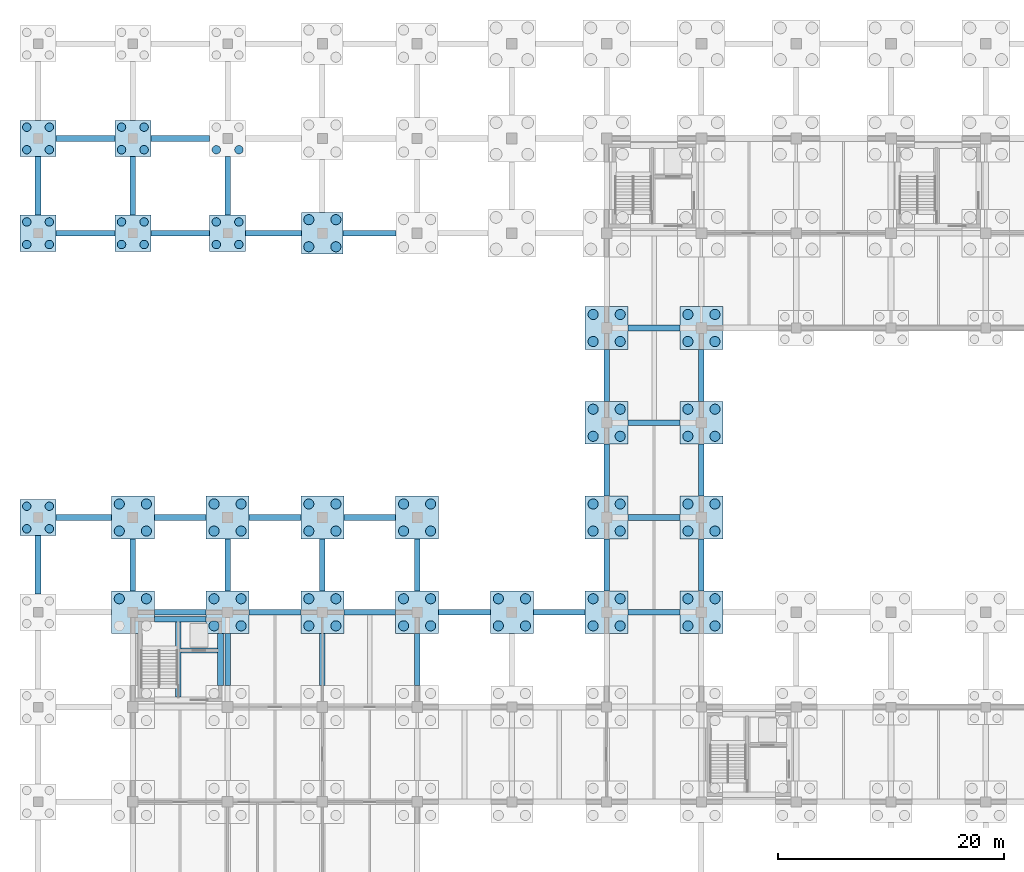
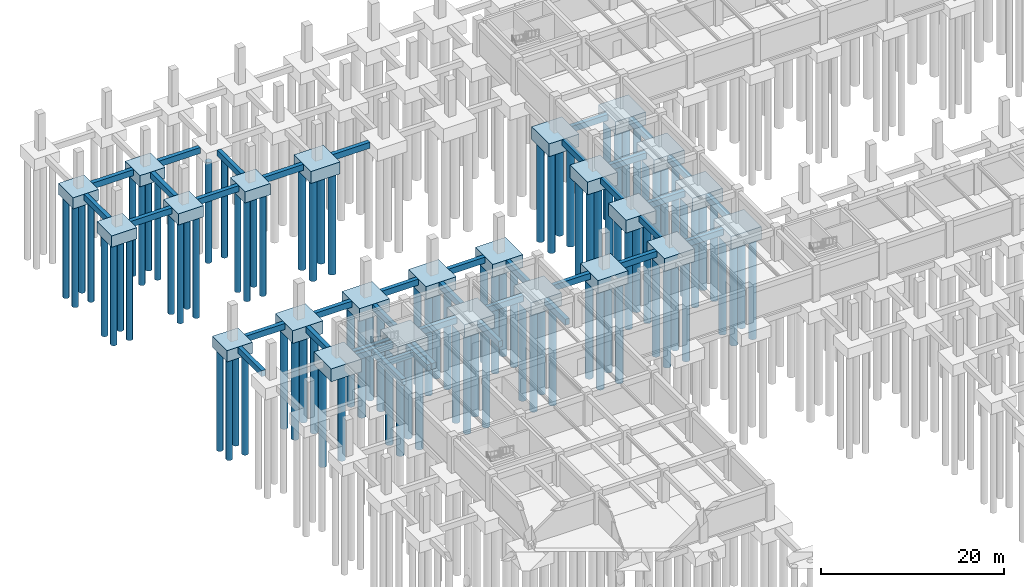
# One storey, part 5 of 29: 96 piles, 64 footings.
"""IFC4 building model written with IfcOpenShell, lengths in metres."""

from ifc_helpers import new_model, si_unit, direction, frame, origin, origin_2d, place, context, subcontext, project, spatial, rectangle, circle, extrude, material, material_profile, profile_set, type_object, element, save


model = new_model("IFC4")

# Units and contexts
model_context = context("Model", 3, precision=1e-05, world=origin(), true_north=direction((0.0, 1.0)))
body_context = subcontext(model_context, "Body", "Model", "MODEL_VIEW")
ifc_project = project(units=[si_unit("LENGTHUNIT", "METRE"), si_unit("AREAUNIT", "SQUARE_METRE"), si_unit("VOLUMEUNIT", "CUBIC_METRE"), si_unit("PLANEANGLEUNIT", "RADIAN"), si_unit("MASSUNIT", "GRAM", prefix="KILO")], contexts=[model_context])

# Site, building, storey
site_placement = place(None, origin())
site = spatial("IfcSite", under=ifc_project, at=site_placement, CompositionType="ELEMENT")
building_placement = place(site_placement, origin())
building = spatial("IfcBuilding", under=site, at=building_placement, Name="Porcellanite Civic Hall", CompositionType="ELEMENT")
storey_placement = place(building_placement, frame((0.0, 0.0, -4.5)))
storey = spatial("IfcBuildingStorey", under=building, at=storey_placement, Name="B1", CompositionType="ELEMENT", Elevation=-4.5)

# Footings
ifc_material_1 = material(Name="Concrete N40 (40 MPa)", Category="concrete")
ifc_material_profile_1 = material_profile(ifc_material_1, rectangle(XDim=0.5, YDim=0.800048828125, at=origin_2d()), Name="RC-500x800")
ifc_profile_set_1 = profile_set([ifc_material_profile_1], Name="Concrete N40 (40 MPa)")
footing_type_1 = type_object("IfcFootingType", Name="GB-01", PredefinedType="FOOTING_BEAM", material=ifc_profile_set_1)
footing_1_placement = place(storey_placement, frame((0.0, 68.800048828125, -0.75), z_axis=(0.0, 1.0, 0.0), x_axis=(-1.0, 0.0, 0.0)))
element("IfcFooting", 1, at=footing_1_placement, inside=storey, type_object=footing_type_1, Name="Ground tie beam B1 0-8 Y", PredefinedType="FOOTING_BEAM", context=body_context, shape_type="SweptSolid", body=[
    extrude(rectangle(XDim=0.5, YDim=0.800048828125, at=origin_2d()), origin(), (0.0, 0.0, 1.0), 5.199951171875),
])
footing_2_placement = place(storey_placement, frame((1.60009765625, 75.60009765625, -0.75), z_axis=(1.0, 0.0, 0.0), x_axis=(0.0, 1.0, 0.0)))
element("IfcFooting", 2, at=footing_2_placement, inside=storey, type_object=footing_type_1, Name="Ground tie beam B1 0-9 X", PredefinedType="FOOTING_BEAM", context=body_context, shape_type="SweptSolid", body=[
    extrude(rectangle(XDim=0.5, YDim=0.800048828125, at=origin_2d()), origin(), (0.0, 0.0, 1.0), 4.89990234375),
])
footing_3_placement = place(storey_placement, frame((1.60009765625, 100.800048828125, -0.75), z_axis=(1.0, 0.0, 0.0), x_axis=(0.0, 1.0, 0.0)))
element("IfcFooting", 3, at=footing_3_placement, inside=storey, type_object=footing_type_1, Name="Ground tie beam B1 0-12 X", PredefinedType="FOOTING_BEAM", context=body_context, shape_type="SweptSolid", body=[
    extrude(rectangle(XDim=0.5, YDim=0.800048828125, at=origin_2d()), origin(), (0.0, 0.0, 1.0), 5.199951171875),
])
footing_4_placement = place(storey_placement, frame((0.0, 102.39990234375, -0.75), z_axis=(0.0, 1.0, 0.0), x_axis=(-1.0, 0.0, 0.0)))
element("IfcFooting", 4, at=footing_4_placement, inside=storey, type_object=footing_type_1, Name="Ground tie beam B1 0-12 Y", PredefinedType="FOOTING_BEAM", context=body_context, shape_type="SweptSolid", body=[
    extrude(rectangle(XDim=0.5, YDim=0.800048828125, at=origin_2d()), origin(), (0.0, 0.0, 1.0), 5.2001953125),
])
footing_5_placement = place(storey_placement, frame((1.60009765625, 109.199951171875, -0.75), z_axis=(1.0, 0.0, 0.0), x_axis=(0.0, 1.0, 0.0)))
element("IfcFooting", 5, at=footing_5_placement, inside=storey, type_object=footing_type_1, Name="Ground tie beam B1 0-13 X", PredefinedType="FOOTING_BEAM", context=body_context, shape_type="SweptSolid", body=[
    extrude(rectangle(XDim=0.5, YDim=0.800048828125, at=origin_2d()), origin(), (0.0, 0.0, 1.0), 5.199951171875),
])
for number, where, z_axis, x_axis, name in (
    (6, (10.300048828125, 67.199951171875, -0.75), (1.0, 0.0, 0.0), (0.0, 1.0, 0.0), "Ground tie beam B1 1-8 X"),
    (7, (8.39990234375, 69.10009765625, -0.75), (0.0, 1.0, 0.0), (-1.0, 0.0, 0.0), "Ground tie beam B1 1-8 Y"),
    (8, (10.300048828125, 75.60009765625, -0.75), (1.0, 0.0, 0.0), (0.0, 1.0, 0.0), "Ground tie beam B1 1-9 X"),
):
    element("IfcFooting", number, at=place(storey_placement, frame(where, z_axis=z_axis, x_axis=x_axis)), inside=storey, type_object=footing_type_1, Name=name, PredefinedType="FOOTING_BEAM", context=body_context, shape_type="SweptSolid", body=[
        extrude(rectangle(XDim=0.5, YDim=0.800048828125, at=origin_2d()), origin(), (0.0, 0.0, 1.0), 4.599853515625),
    ])
footing_6_placement = place(storey_placement, frame((10.0, 100.800048828125, -0.75), z_axis=(1.0, 0.0, 0.0), x_axis=(0.0, 1.0, 0.0)))
element("IfcFooting", 9, at=footing_6_placement, inside=storey, type_object=footing_type_1, Name="Ground tie beam B1 1-12 X", PredefinedType="FOOTING_BEAM", context=body_context, shape_type="SweptSolid", body=[
    extrude(rectangle(XDim=0.5, YDim=0.800048828125, at=origin_2d()), origin(), (0.0, 0.0, 1.0), 5.199951171875),
])
footing_7_placement = place(storey_placement, frame((8.39990234375, 102.39990234375, -0.75), z_axis=(0.0, 1.0, 0.0), x_axis=(-1.0, 0.0, 0.0)))
element("IfcFooting", 10, at=footing_7_placement, inside=storey, type_object=footing_type_1, Name="Ground tie beam B1 1-12 Y", PredefinedType="FOOTING_BEAM", context=body_context, shape_type="SweptSolid", body=[
    extrude(rectangle(XDim=0.5, YDim=0.800048828125, at=origin_2d()), origin(), (0.0, 0.0, 1.0), 5.2001953125),
])
footing_8_placement = place(storey_placement, frame((10.0, 109.199951171875, -0.75), z_axis=(1.0, 0.0, 0.0), x_axis=(0.0, 1.0, 0.0)))
element("IfcFooting", 11, at=footing_8_placement, inside=storey, type_object=footing_type_1, Name="Ground tie beam B1 1-13 X", PredefinedType="FOOTING_BEAM", context=body_context, shape_type="SweptSolid", body=[
    extrude(rectangle(XDim=0.5, YDim=0.800048828125, at=origin_2d()), origin(), (0.0, 0.0, 1.0), 5.199951171875),
])
for number, where, z_axis, x_axis, name in (
    (12, (16.800048828125, 60.699951171875, -0.75), (0.0, 1.0, 0.0), (-1.0, 0.0, 0.0), "Ground tie beam B1 2-7 Y"),
    (13, (18.699951171875, 67.199951171875, -0.75), (1.0, 0.0, 0.0), (0.0, 1.0, 0.0), "Ground tie beam B1 2-8 X"),
):
    element("IfcFooting", number, at=place(storey_placement, frame(where, z_axis=z_axis, x_axis=x_axis)), inside=storey, type_object=footing_type_1, Name=name, PredefinedType="FOOTING_BEAM", context=body_context, shape_type="SweptSolid", body=[
        extrude(rectangle(XDim=0.5, YDim=0.800048828125, at=origin_2d()), origin(), (0.0, 0.0, 1.0), 4.60009765625),
    ])
footing_9_placement = place(storey_placement, frame((16.800048828125, 69.10009765625, -0.75), z_axis=(0.0, 1.0, 0.0), x_axis=(-1.0, 0.0, 0.0)))
element("IfcFooting", 14, at=footing_9_placement, inside=storey, type_object=footing_type_1, Name="Ground tie beam B1 2-8 Y", PredefinedType="FOOTING_BEAM", context=body_context, shape_type="SweptSolid", body=[
    extrude(rectangle(XDim=0.5, YDim=0.800048828125, at=origin_2d()), origin(), (0.0, 0.0, 1.0), 4.599853515625),
])
footing_10_placement = place(storey_placement, frame((18.699951171875, 75.60009765625, -0.75), z_axis=(1.0, 0.0, 0.0), x_axis=(0.0, 1.0, 0.0)))
element("IfcFooting", 15, at=footing_10_placement, inside=storey, type_object=footing_type_1, Name="Ground tie beam B1 2-9 X", PredefinedType="FOOTING_BEAM", context=body_context, shape_type="SweptSolid", body=[
    extrude(rectangle(XDim=0.5, YDim=0.800048828125, at=origin_2d()), origin(), (0.0, 0.0, 1.0), 4.60009765625),
])
footing_11_placement = place(storey_placement, frame((18.39990234375, 100.800048828125, -0.75), z_axis=(1.0, 0.0, 0.0), x_axis=(0.0, 1.0, 0.0)))
element("IfcFooting", 16, at=footing_11_placement, inside=storey, type_object=footing_type_1, Name="Ground tie beam B1 2-12 X", PredefinedType="FOOTING_BEAM", context=body_context, shape_type="SweptSolid", body=[
    extrude(rectangle(XDim=0.5, YDim=0.800048828125, at=origin_2d()), origin(), (0.0, 0.0, 1.0), 4.9501953125),
])
footing_12_placement = place(storey_placement, frame((16.800048828125, 102.39990234375, -0.75), z_axis=(0.0, 1.0, 0.0), x_axis=(-1.0, 0.0, 0.0)))
element("IfcFooting", 17, at=footing_12_placement, inside=storey, type_object=footing_type_1, Name="Ground tie beam B1 2-12 Y", PredefinedType="FOOTING_BEAM", context=body_context, shape_type="SweptSolid", body=[
    extrude(rectangle(XDim=0.5, YDim=0.800048828125, at=origin_2d()), origin(), (0.0, 0.0, 1.0), 5.2001953125),
])
footing_13_placement = place(storey_placement, frame((25.199951171875, 60.699951171875, -0.75), z_axis=(0.0, 1.0, 0.0), x_axis=(-1.0, 0.0, 0.0)))
element("IfcFooting", 18, at=footing_13_placement, inside=storey, type_object=footing_type_1, Name="Ground tie beam B1 3-7 Y", PredefinedType="FOOTING_BEAM", context=body_context, shape_type="SweptSolid", body=[
    extrude(rectangle(XDim=0.5, YDim=0.800048828125, at=origin_2d()), origin(), (0.0, 0.0, 1.0), 4.60009765625),
])
for number, where, z_axis, x_axis, name in (
    (19, (27.10009765625, 67.199951171875, -0.75), (1.0, 0.0, 0.0), (0.0, 1.0, 0.0), "Ground tie beam B1 3-8 X"),
    (20, (25.199951171875, 69.10009765625, -0.75), (0.0, 1.0, 0.0), (-1.0, 0.0, 0.0), "Ground tie beam B1 3-8 Y"),
    (21, (27.10009765625, 75.60009765625, -0.75), (1.0, 0.0, 0.0), (0.0, 1.0, 0.0), "Ground tie beam B1 3-9 X"),
):
    element("IfcFooting", number, at=place(storey_placement, frame(where, z_axis=z_axis, x_axis=x_axis)), inside=storey, type_object=footing_type_1, Name=name, PredefinedType="FOOTING_BEAM", context=body_context, shape_type="SweptSolid", body=[
        extrude(rectangle(XDim=0.5, YDim=0.800048828125, at=origin_2d()), origin(), (0.0, 0.0, 1.0), 4.599853515625),
    ])
footing_14_placement = place(storey_placement, frame((27.050048828125, 100.800048828125, -0.75), z_axis=(1.0, 0.0, 0.0), x_axis=(0.0, 1.0, 0.0)))
element("IfcFooting", 22, at=footing_14_placement, inside=storey, type_object=footing_type_1, Name="Ground tie beam B1 3-12 X", PredefinedType="FOOTING_BEAM", context=body_context, shape_type="SweptSolid", body=[
    extrude(rectangle(XDim=0.5, YDim=0.800048828125, at=origin_2d()), origin(), (0.0, 0.0, 1.0), 4.699951171875),
])
for number, where, z_axis, x_axis, name in (
    (23, (33.60009765625, 60.699951171875, -0.75), (0.0, 1.0, 0.0), (-1.0, 0.0, 0.0), "Ground tie beam B1 4-7 Y"),
    (24, (35.5, 67.199951171875, -0.75), (1.0, 0.0, 0.0), (0.0, 1.0, 0.0), "Ground tie beam B1 4-8 X"),
):
    element("IfcFooting", number, at=place(storey_placement, frame(where, z_axis=z_axis, x_axis=x_axis)), inside=storey, type_object=footing_type_1, Name=name, PredefinedType="FOOTING_BEAM", context=body_context, shape_type="SweptSolid", body=[
        extrude(rectangle(XDim=0.5, YDim=0.800048828125, at=origin_2d()), origin(), (0.0, 0.0, 1.0), 4.60009765625),
    ])
footing_15_placement = place(storey_placement, frame((33.60009765625, 69.10009765625, -0.75), z_axis=(0.0, 1.0, 0.0), x_axis=(-1.0, 0.0, 0.0)))
element("IfcFooting", 25, at=footing_15_placement, inside=storey, type_object=footing_type_1, Name="Ground tie beam B1 4-8 Y", PredefinedType="FOOTING_BEAM", context=body_context, shape_type="SweptSolid", body=[
    extrude(rectangle(XDim=0.5, YDim=0.800048828125, at=origin_2d()), origin(), (0.0, 0.0, 1.0), 4.599853515625),
])
footing_16_placement = place(storey_placement, frame((43.89990234375, 67.199951171875, -0.75), z_axis=(1.0, 0.0, 0.0), x_axis=(0.0, 1.0, 0.0)))
element("IfcFooting", 26, at=footing_16_placement, inside=storey, type_object=footing_type_1, Name="Ground tie beam B1 5-8 X", PredefinedType="FOOTING_BEAM", context=body_context, shape_type="SweptSolid", body=[
    extrude(rectangle(XDim=0.5, YDim=0.800048828125, at=origin_2d()), origin(), (0.0, 0.0, 1.0), 4.60009765625),
])
for number, where, z_axis, x_axis, name in (
    (27, (52.300048828125, 67.199951171875, -0.75), (1.0, 0.0, 0.0), (0.0, 1.0, 0.0), "Ground tie beam B1 6-8 X"),
    (28, (50.39990234375, 69.10009765625, -0.75), (0.0, 1.0, 0.0), (-1.0, 0.0, 0.0), "Ground tie beam B1 6-8 Y"),
    (29, (52.300048828125, 75.60009765625, -0.75), (1.0, 0.0, 0.0), (0.0, 1.0, 0.0), "Ground tie beam B1 6-9 X"),
):
    element("IfcFooting", number, at=place(storey_placement, frame(where, z_axis=z_axis, x_axis=x_axis)), inside=storey, type_object=footing_type_1, Name=name, PredefinedType="FOOTING_BEAM", context=body_context, shape_type="SweptSolid", body=[
        extrude(rectangle(XDim=0.5, YDim=0.800048828125, at=origin_2d()), origin(), (0.0, 0.0, 1.0), 4.599853515625),
    ])
footing_17_placement = place(storey_placement, frame((50.39990234375, 77.5, -0.75), z_axis=(0.0, 1.0, 0.0), x_axis=(-1.0, 0.0, 0.0)))
element("IfcFooting", 30, at=footing_17_placement, inside=storey, type_object=footing_type_1, Name="Ground tie beam B1 6-9 Y", PredefinedType="FOOTING_BEAM", context=body_context, shape_type="SweptSolid", body=[
    extrude(rectangle(XDim=0.5, YDim=0.800048828125, at=origin_2d()), origin(), (0.0, 0.0, 1.0), 4.60009765625),
])
footing_18_placement = place(storey_placement, frame((52.300048828125, 84.0, -0.75), z_axis=(1.0, 0.0, 0.0), x_axis=(0.0, 1.0, 0.0)))
element("IfcFooting", 31, at=footing_18_placement, inside=storey, type_object=footing_type_1, Name="Ground tie beam B1 6-10 X", PredefinedType="FOOTING_BEAM", context=body_context, shape_type="SweptSolid", body=[
    extrude(rectangle(XDim=0.5, YDim=0.800048828125, at=origin_2d()), origin(), (0.0, 0.0, 1.0), 4.599853515625),
])
footing_19_placement = place(storey_placement, frame((50.39990234375, 85.89990234375, -0.75), z_axis=(0.0, 1.0, 0.0), x_axis=(-1.0, 0.0, 0.0)))
element("IfcFooting", 32, at=footing_19_placement, inside=storey, type_object=footing_type_1, Name="Ground tie beam B1 6-10 Y", PredefinedType="FOOTING_BEAM", context=body_context, shape_type="SweptSolid", body=[
    extrude(rectangle(XDim=0.5, YDim=0.800048828125, at=origin_2d()), origin(), (0.0, 0.0, 1.0), 4.60009765625),
])
for number, where, z_axis, x_axis, name in (
    (33, (52.300048828125, 92.39990234375, -0.75), (1.0, 0.0, 0.0), (0.0, 1.0, 0.0), "Ground tie beam B1 6-11 X"),
    (34, (58.800048828125, 69.10009765625, -0.75), (0.0, 1.0, 0.0), (-1.0, 0.0, 0.0), "Ground tie beam B1 7-8 Y"),
):
    element("IfcFooting", number, at=place(storey_placement, frame(where, z_axis=z_axis, x_axis=x_axis)), inside=storey, type_object=footing_type_1, Name=name, PredefinedType="FOOTING_BEAM", context=body_context, shape_type="SweptSolid", body=[
        extrude(rectangle(XDim=0.5, YDim=0.800048828125, at=origin_2d()), origin(), (0.0, 0.0, 1.0), 4.599853515625),
    ])
for number, where, z_axis, x_axis, name in (
    (35, (58.800048828125, 77.5, -0.75), (0.0, 1.0, 0.0), (-1.0, 0.0, 0.0), "Ground tie beam B1 7-9 Y"),
    (36, (58.800048828125, 85.89990234375, -0.75), (0.0, 1.0, 0.0), (-1.0, 0.0, 0.0), "Ground tie beam B1 7-10 Y"),
):
    element("IfcFooting", number, at=place(storey_placement, frame(where, z_axis=z_axis, x_axis=x_axis)), inside=storey, type_object=footing_type_1, Name=name, PredefinedType="FOOTING_BEAM", context=body_context, shape_type="SweptSolid", body=[
        extrude(rectangle(XDim=0.5, YDim=0.800048828125, at=origin_2d()), origin(), (0.0, 0.0, 1.0), 4.60009765625),
    ])
footing_20_placement = place(storey_placement, frame((10.300048828125, 66.570068359375, -0.75), z_axis=(1.0, 0.0, 0.0), x_axis=(0.0, 1.0, 0.0)))
element("IfcFooting", 37, at=footing_20_placement, inside=storey, type_object=footing_type_1, Name="Core strip footing C2 N", PredefinedType="FOOTING_BEAM", context=body_context, shape_type="SweptSolid", body=[
    extrude(rectangle(XDim=0.5, YDim=0.800048828125, at=origin_2d()), origin(), (0.0, 0.0, 1.0), 4.599853515625),
])
footing_21_placement = place(storey_placement, frame((16.169921875, 60.699951171875, -0.75), z_axis=(0.0, 1.0, 0.0), x_axis=(-1.0, 0.0, 0.0)))
element("IfcFooting", 38, at=footing_21_placement, inside=storey, type_object=footing_type_1, Name="Core strip footing C2 E", PredefinedType="FOOTING_BEAM", context=body_context, shape_type="SweptSolid", body=[
    extrude(rectangle(XDim=0.5, YDim=0.800048828125, at=origin_2d()), origin(), (0.0, 0.0, 1.0), 4.60009765625),
])
footing_22_placement = place(storey_placement, frame((12.43994140625, 59.679931640625, -0.75), z_axis=(0.0, 1.0, 0.0), x_axis=(-1.0, 0.0, 0.0)))
element("IfcFooting", 39, at=footing_22_placement, inside=storey, type_object=footing_type_1, Name="Core strip footing C2 DIV", PredefinedType="FOOTING_BEAM", context=body_context, shape_type="SweptSolid", body=[
    extrude(rectangle(XDim=0.5, YDim=0.800048828125, at=origin_2d()), origin(), (0.0, 0.0, 1.0), 6.64013671875),
])
ifc_material_2 = material(Name="Concrete N40 (40 MPa)", Category="concrete")
ifc_material_profile_2 = material_profile(ifc_material_2, rectangle(XDim=0.449951171875, YDim=0.699951171875, at=origin_2d()), Name="RC-450x700")
ifc_profile_set_2 = profile_set([ifc_material_profile_2], Name="Concrete N40 (40 MPa)")
footing_type_2 = type_object("IfcFootingType", Name="GB-03", PredefinedType="FOOTING_BEAM", material=ifc_profile_set_2)
footing_23_placement = place(storey_placement, frame((12.68994140625, 63.820068359375, -0.699951171875), z_axis=(1.0, 0.0, 0.0), x_axis=(0.0, 1.0, 0.0)))
element("IfcFooting", 40, at=footing_23_placement, inside=storey, type_object=footing_type_2, Name="Core lift wall footing C2", PredefinedType="FOOTING_BEAM", context=body_context, shape_type="SweptSolid", body=[
    extrude(rectangle(XDim=0.449951171875, YDim=0.699951171875, at=origin_2d()), origin(), (0.0, 0.0, 1.0), 3.22998046875),
])
ifc_material_3 = material(Name="Concrete N40 (40 MPa)", Category="concrete")
footing_type_3 = type_object("IfcFootingType", Name="PC-02", PredefinedType="PILE_CAP", material=ifc_material_3)
for number, where, z_axis, x_axis, name in (
    (41, (0.0, 75.60009765625, -1.85009765625), (0.0, 0.0, 1.0), (1.0, 0.0, 0.0), "Pile cap 0-9"),
    (42, (0.0, 100.800048828125, -1.85009765625), (0.0, 0.0, 1.0), (1.0, 0.0, 0.0), "Pile cap 0-12"),
    (43, (0.0, 109.199951171875, -1.85009765625), (0.0, 0.0, 1.0), (1.0, 0.0, 0.0), "Pile cap 0-13"),
    (44, (8.39990234375, 100.800048828125, -1.85009765625), (0.0, 0.0, 1.0), (1.0, 0.0, 0.0), "Pile cap 1-12"),
    (45, (8.39990234375, 109.199951171875, -1.85009765625), (0.0, 0.0, 1.0), (1.0, 0.0, 0.0), "Pile cap 1-13"),
    (46, (16.800048828125, 100.800048828125, -1.85009765625), (0.0, 0.0, 1.0), (1.0, 0.0, 0.0), "Pile cap 2-12"),
):
    element("IfcFooting", number, at=place(storey_placement, frame(where, z_axis=z_axis, x_axis=x_axis)), inside=storey, type_object=footing_type_3, Name=name, PredefinedType="PILE_CAP", context=body_context, shape_type="SweptSolid", body=[
        extrude(rectangle(XDim=3.199951171875, YDim=3.199951171875, at=origin_2d()), origin(), (0.0, 0.0, 1.0), 1.5),
    ])
ifc_material_4 = material(Name="Concrete N40 (40 MPa)", Category="concrete")
footing_type_4 = type_object("IfcFootingType", Name="PC-03", PredefinedType="PILE_CAP", material=ifc_material_4)
footing_24_placement = place(storey_placement, frame((25.199951171875, 100.800048828125, -1.949951171875), z_axis=(0.0, 0.0, 1.0), x_axis=(1.0, 0.0, 0.0)))
element("IfcFooting", 47, at=footing_24_placement, inside=storey, type_object=footing_type_4, Name="Pile cap 3-12", PredefinedType="PILE_CAP", context=body_context, shape_type="SweptSolid", body=[
    extrude(rectangle(XDim=3.699951171875, YDim=3.699951171875, at=origin_2d()), origin(), (0.0, 0.0, 1.0), 1.60009765625),
])
ifc_material_5 = material(Name="Concrete N40 (40 MPa)", Category="concrete")
footing_type_5 = type_object("IfcFootingType", Name="PC-04", PredefinedType="PILE_CAP", material=ifc_material_5)
for number, where, z_axis, x_axis, name in (
    (48, (8.39990234375, 67.199951171875, -2.0498046875), (0.0, 0.0, 1.0), (1.0, 0.0, 0.0), "Pile cap 1-8"),
    (49, (8.39990234375, 75.60009765625, -2.0498046875), (0.0, 0.0, 1.0), (1.0, 0.0, 0.0), "Pile cap 1-9"),
    (50, (16.800048828125, 67.199951171875, -2.0498046875), (0.0, 0.0, 1.0), (1.0, 0.0, 0.0), "Pile cap 2-8"),
    (51, (16.800048828125, 75.60009765625, -2.0498046875), (0.0, 0.0, 1.0), (1.0, 0.0, 0.0), "Pile cap 2-9"),
    (52, (25.199951171875, 67.199951171875, -2.0498046875), (0.0, 0.0, 1.0), (1.0, 0.0, 0.0), "Pile cap 3-8"),
    (53, (25.199951171875, 75.60009765625, -2.0498046875), (0.0, 0.0, 1.0), (1.0, 0.0, 0.0), "Pile cap 3-9"),
    (54, (33.60009765625, 67.199951171875, -2.0498046875), (0.0, 0.0, 1.0), (1.0, 0.0, 0.0), "Pile cap 4-8"),
    (55, (33.60009765625, 75.60009765625, -2.0498046875), (0.0, 0.0, 1.0), (1.0, 0.0, 0.0), "Pile cap 4-9"),
    (56, (42.0, 67.199951171875, -2.0498046875), (0.0, 0.0, 1.0), (1.0, 0.0, 0.0), "Pile cap 5-8"),
    (57, (50.39990234375, 67.199951171875, -2.0498046875), (0.0, 0.0, 1.0), (1.0, 0.0, 0.0), "Pile cap 6-8"),
    (58, (50.39990234375, 75.60009765625, -2.0498046875), (0.0, 0.0, 1.0), (1.0, 0.0, 0.0), "Pile cap 6-9"),
    (59, (50.39990234375, 84.0, -2.0498046875), (0.0, 0.0, 1.0), (1.0, 0.0, 0.0), "Pile cap 6-10"),
    (60, (50.39990234375, 92.39990234375, -2.0498046875), (0.0, 0.0, 1.0), (1.0, 0.0, 0.0), "Pile cap 6-11"),
    (61, (58.800048828125, 67.199951171875, -2.0498046875), (0.0, 0.0, 1.0), (1.0, 0.0, 0.0), "Pile cap 7-8"),
    (62, (58.800048828125, 75.60009765625, -2.0498046875), (0.0, 0.0, 1.0), (1.0, 0.0, 0.0), "Pile cap 7-9"),
    (63, (58.800048828125, 84.0, -2.0498046875), (0.0, 0.0, 1.0), (1.0, 0.0, 0.0), "Pile cap 7-10"),
    (64, (58.800048828125, 92.39990234375, -2.0498046875), (0.0, 0.0, 1.0), (1.0, 0.0, 0.0), "Pile cap 7-11"),
):
    element("IfcFooting", number, at=place(storey_placement, frame(where, z_axis=z_axis, x_axis=x_axis)), inside=storey, type_object=footing_type_5, Name=name, PredefinedType="PILE_CAP", context=body_context, shape_type="SweptSolid", body=[
        extrude(rectangle(XDim=3.800048828125, YDim=3.800048828125, at=origin_2d()), origin(), (0.0, 0.0, 1.0), 1.699951171875),
    ])

# Piles
ifc_material_6 = material(Name="Concrete N40 (40 MPa)", Category="concrete")
ifc_material_profile_3 = material_profile(ifc_material_6, circle(Radius=0.375, at=origin_2d()), Name="PILE-D750")
ifc_profile_set_3 = profile_set([ifc_material_profile_3], Name="Concrete N40 (40 MPa)")
pile_type_1 = type_object("IfcPileType", Name="PL-750", PredefinedType="BORED", material=ifc_profile_set_3)
for number, where, z_axis, x_axis, name in (
    (65, (-1.0, 74.60009765625, -1.85009765625), (0.0, 0.0, -1.0), (1.0, 0.0, 0.0), "Bored pile 0-9-1"),
    (66, (-1.0, 76.60009765625, -1.85009765625), (0.0, 0.0, -1.0), (1.0, 0.0, 0.0), "Bored pile 0-9-2"),
    (67, (1.0, 74.60009765625, -1.85009765625), (0.0, 0.0, -1.0), (1.0, 0.0, 0.0), "Bored pile 0-9-3"),
    (68, (1.0, 76.60009765625, -1.85009765625), (0.0, 0.0, -1.0), (1.0, 0.0, 0.0), "Bored pile 0-9-4"),
    (69, (-1.0, 99.800048828125, -1.85009765625), (0.0, 0.0, -1.0), (1.0, 0.0, 0.0), "Bored pile 0-12-1"),
    (70, (-1.0, 101.800048828125, -1.85009765625), (0.0, 0.0, -1.0), (1.0, 0.0, 0.0), "Bored pile 0-12-2"),
    (71, (1.0, 99.800048828125, -1.85009765625), (0.0, 0.0, -1.0), (1.0, 0.0, 0.0), "Bored pile 0-12-3"),
    (72, (1.0, 101.800048828125, -1.85009765625), (0.0, 0.0, -1.0), (1.0, 0.0, 0.0), "Bored pile 0-12-4"),
    (73, (-1.0, 108.199951171875, -1.85009765625), (0.0, 0.0, -1.0), (1.0, 0.0, 0.0), "Bored pile 0-13-1"),
    (74, (-1.0, 110.199951171875, -1.85009765625), (0.0, 0.0, -1.0), (1.0, 0.0, 0.0), "Bored pile 0-13-2"),
    (75, (1.0, 108.199951171875, -1.85009765625), (0.0, 0.0, -1.0), (1.0, 0.0, 0.0), "Bored pile 0-13-3"),
    (76, (1.0, 110.199951171875, -1.85009765625), (0.0, 0.0, -1.0), (1.0, 0.0, 0.0), "Bored pile 0-13-4"),
    (77, (7.39990234375, 99.800048828125, -1.85009765625), (0.0, 0.0, -1.0), (1.0, 0.0, 0.0), "Bored pile 1-12-1"),
    (78, (7.39990234375, 101.800048828125, -1.85009765625), (0.0, 0.0, -1.0), (1.0, 0.0, 0.0), "Bored pile 1-12-2"),
    (79, (9.39990234375, 99.800048828125, -1.85009765625), (0.0, 0.0, -1.0), (1.0, 0.0, 0.0), "Bored pile 1-12-3"),
    (80, (9.39990234375, 101.800048828125, -1.85009765625), (0.0, 0.0, -1.0), (1.0, 0.0, 0.0), "Bored pile 1-12-4"),
    (81, (7.39990234375, 108.199951171875, -1.85009765625), (0.0, 0.0, -1.0), (1.0, 0.0, 0.0), "Bored pile 1-13-1"),
    (82, (7.39990234375, 110.199951171875, -1.85009765625), (0.0, 0.0, -1.0), (1.0, 0.0, 0.0), "Bored pile 1-13-2"),
    (83, (9.39990234375, 108.199951171875, -1.85009765625), (0.0, 0.0, -1.0), (1.0, 0.0, 0.0), "Bored pile 1-13-3"),
    (84, (9.39990234375, 110.199951171875, -1.85009765625), (0.0, 0.0, -1.0), (1.0, 0.0, 0.0), "Bored pile 1-13-4"),
    (85, (15.800048828125, 99.800048828125, -1.85009765625), (0.0, 0.0, -1.0), (1.0, 0.0, 0.0), "Bored pile 2-12-1"),
    (86, (15.800048828125, 101.800048828125, -1.85009765625), (0.0, 0.0, -1.0), (1.0, 0.0, 0.0), "Bored pile 2-12-2"),
    (87, (17.800048828125, 99.800048828125, -1.85009765625), (0.0, 0.0, -1.0), (1.0, 0.0, 0.0), "Bored pile 2-12-3"),
    (88, (17.800048828125, 101.800048828125, -1.85009765625), (0.0, 0.0, -1.0), (1.0, 0.0, 0.0), "Bored pile 2-12-4"),
    (89, (15.800048828125, 108.199951171875, -1.85009765625), (0.0, 0.0, -1.0), (1.0, 0.0, 0.0), "Bored pile 2-13-1"),
    (90, (17.800048828125, 108.199951171875, -1.85009765625), (0.0, 0.0, -1.0), (1.0, 0.0, 0.0), "Bored pile 2-13-3"),
):
    element("IfcPile", number, at=place(storey_placement, frame(where, z_axis=z_axis, x_axis=x_axis)), inside=storey, type_object=pile_type_1, Name=name, PredefinedType="BORED", context=body_context, shape_type="SweptSolid", body=[
        extrude(circle(Radius=0.375, at=origin_2d()), origin(), (0.0, 0.0, 1.0), 13.449951171875),
    ])
ifc_material_7 = material(Name="Concrete N40 (40 MPa)", Category="concrete")
ifc_material_profile_4 = material_profile(ifc_material_7, circle(Radius=0.449951171875, at=origin_2d()), Name="PILE-D900")
ifc_profile_set_4 = profile_set([ifc_material_profile_4], Name="Concrete N40 (40 MPa)")
pile_type_2 = type_object("IfcPileType", Name="PL-900", PredefinedType="BORED", material=ifc_profile_set_4)
for number, where, z_axis, x_axis, name in (
    (91, (7.199951171875, 68.39990234375, -2.050048828125), (0.0, 0.0, -1.0), (1.0, 0.0, 0.0), "Bored pile 1-8-2"),
    (92, (9.60009765625, 68.39990234375, -2.050048828125), (0.0, 0.0, -1.0), (1.0, 0.0, 0.0), "Bored pile 1-8-4"),
    (93, (7.199951171875, 74.39990234375, -2.050048828125), (0.0, 0.0, -1.0), (1.0, 0.0, 0.0), "Bored pile 1-9-1"),
    (94, (7.199951171875, 76.800048828125, -2.050048828125), (0.0, 0.0, -1.0), (1.0, 0.0, 0.0), "Bored pile 1-9-2"),
    (95, (9.60009765625, 74.39990234375, -2.050048828125), (0.0, 0.0, -1.0), (1.0, 0.0, 0.0), "Bored pile 1-9-3"),
    (96, (9.60009765625, 76.800048828125, -2.050048828125), (0.0, 0.0, -1.0), (1.0, 0.0, 0.0), "Bored pile 1-9-4"),
    (97, (15.60009765625, 66.0, -2.050048828125), (0.0, 0.0, -1.0), (1.0, 0.0, 0.0), "Bored pile 2-8-1"),
    (98, (15.60009765625, 68.39990234375, -2.050048828125), (0.0, 0.0, -1.0), (1.0, 0.0, 0.0), "Bored pile 2-8-2"),
    (99, (18.0, 66.0, -2.050048828125), (0.0, 0.0, -1.0), (1.0, 0.0, 0.0), "Bored pile 2-8-3"),
    (100, (18.0, 68.39990234375, -2.050048828125), (0.0, 0.0, -1.0), (1.0, 0.0, 0.0), "Bored pile 2-8-4"),
    (101, (15.60009765625, 74.39990234375, -2.050048828125), (0.0, 0.0, -1.0), (1.0, 0.0, 0.0), "Bored pile 2-9-1"),
    (102, (15.60009765625, 76.800048828125, -2.050048828125), (0.0, 0.0, -1.0), (1.0, 0.0, 0.0), "Bored pile 2-9-2"),
    (103, (18.0, 74.39990234375, -2.050048828125), (0.0, 0.0, -1.0), (1.0, 0.0, 0.0), "Bored pile 2-9-3"),
    (104, (18.0, 76.800048828125, -2.050048828125), (0.0, 0.0, -1.0), (1.0, 0.0, 0.0), "Bored pile 2-9-4"),
    (105, (24.0, 66.0, -2.050048828125), (0.0, 0.0, -1.0), (1.0, 0.0, 0.0), "Bored pile 3-8-1"),
    (106, (24.0, 68.39990234375, -2.050048828125), (0.0, 0.0, -1.0), (1.0, 0.0, 0.0), "Bored pile 3-8-2"),
    (107, (26.39990234375, 66.0, -2.050048828125), (0.0, 0.0, -1.0), (1.0, 0.0, 0.0), "Bored pile 3-8-3"),
    (108, (26.39990234375, 68.39990234375, -2.050048828125), (0.0, 0.0, -1.0), (1.0, 0.0, 0.0), "Bored pile 3-8-4"),
    (109, (24.0, 74.39990234375, -2.050048828125), (0.0, 0.0, -1.0), (1.0, 0.0, 0.0), "Bored pile 3-9-1"),
    (110, (24.0, 76.800048828125, -2.050048828125), (0.0, 0.0, -1.0), (1.0, 0.0, 0.0), "Bored pile 3-9-2"),
    (111, (26.39990234375, 74.39990234375, -2.050048828125), (0.0, 0.0, -1.0), (1.0, 0.0, 0.0), "Bored pile 3-9-3"),
    (112, (26.39990234375, 76.800048828125, -2.050048828125), (0.0, 0.0, -1.0), (1.0, 0.0, 0.0), "Bored pile 3-9-4"),
):
    element("IfcPile", number, at=place(storey_placement, frame(where, z_axis=z_axis, x_axis=x_axis)), inside=storey, type_object=pile_type_2, Name=name, PredefinedType="BORED", context=body_context, shape_type="SweptSolid", body=[
        extrude(circle(Radius=0.449951171875, at=origin_2d()), origin(), (0.0, 0.0, 1.0), 13.25),
    ])
for number, where, z_axis, x_axis, name in (
    (113, (24.0, 99.60009765625, -1.949951171875), (0.0, 0.0, -1.0), (1.0, 0.0, 0.0), "Bored pile 3-12-1"),
    (114, (24.0, 102.0, -1.949951171875), (0.0, 0.0, -1.0), (1.0, 0.0, 0.0), "Bored pile 3-12-2"),
    (115, (26.39990234375, 99.60009765625, -1.949951171875), (0.0, 0.0, -1.0), (1.0, 0.0, 0.0), "Bored pile 3-12-3"),
    (116, (26.39990234375, 102.0, -1.949951171875), (0.0, 0.0, -1.0), (1.0, 0.0, 0.0), "Bored pile 3-12-4"),
):
    element("IfcPile", number, at=place(storey_placement, frame(where, z_axis=z_axis, x_axis=x_axis)), inside=storey, type_object=pile_type_2, Name=name, PredefinedType="BORED", context=body_context, shape_type="SweptSolid", body=[
        extrude(circle(Radius=0.449951171875, at=origin_2d()), origin(), (0.0, 0.0, 1.0), 13.35009765625),
    ])
for number, where, z_axis, x_axis, name in (
    (117, (32.39990234375, 66.0, -2.050048828125), (0.0, 0.0, -1.0), (1.0, 0.0, 0.0), "Bored pile 4-8-1"),
    (118, (32.39990234375, 68.39990234375, -2.050048828125), (0.0, 0.0, -1.0), (1.0, 0.0, 0.0), "Bored pile 4-8-2"),
    (119, (34.800048828125, 66.0, -2.050048828125), (0.0, 0.0, -1.0), (1.0, 0.0, 0.0), "Bored pile 4-8-3"),
    (120, (34.800048828125, 68.39990234375, -2.050048828125), (0.0, 0.0, -1.0), (1.0, 0.0, 0.0), "Bored pile 4-8-4"),
    (121, (32.39990234375, 74.39990234375, -2.050048828125), (0.0, 0.0, -1.0), (1.0, 0.0, 0.0), "Bored pile 4-9-1"),
    (122, (32.39990234375, 76.800048828125, -2.050048828125), (0.0, 0.0, -1.0), (1.0, 0.0, 0.0), "Bored pile 4-9-2"),
    (123, (34.800048828125, 74.39990234375, -2.050048828125), (0.0, 0.0, -1.0), (1.0, 0.0, 0.0), "Bored pile 4-9-3"),
    (124, (34.800048828125, 76.800048828125, -2.050048828125), (0.0, 0.0, -1.0), (1.0, 0.0, 0.0), "Bored pile 4-9-4"),
    (125, (40.800048828125, 66.0, -2.050048828125), (0.0, 0.0, -1.0), (1.0, 0.0, 0.0), "Bored pile 5-8-1"),
    (126, (40.800048828125, 68.39990234375, -2.050048828125), (0.0, 0.0, -1.0), (1.0, 0.0, 0.0), "Bored pile 5-8-2"),
    (127, (43.199951171875, 66.0, -2.050048828125), (0.0, 0.0, -1.0), (1.0, 0.0, 0.0), "Bored pile 5-8-3"),
    (128, (43.199951171875, 68.39990234375, -2.050048828125), (0.0, 0.0, -1.0), (1.0, 0.0, 0.0), "Bored pile 5-8-4"),
    (129, (49.199951171875, 66.0, -2.050048828125), (0.0, 0.0, -1.0), (1.0, 0.0, 0.0), "Bored pile 6-8-1"),
    (130, (49.199951171875, 68.39990234375, -2.050048828125), (0.0, 0.0, -1.0), (1.0, 0.0, 0.0), "Bored pile 6-8-2"),
    (131, (51.60009765625, 66.0, -2.050048828125), (0.0, 0.0, -1.0), (1.0, 0.0, 0.0), "Bored pile 6-8-3"),
    (132, (51.60009765625, 68.39990234375, -2.050048828125), (0.0, 0.0, -1.0), (1.0, 0.0, 0.0), "Bored pile 6-8-4"),
    (133, (49.199951171875, 74.39990234375, -2.050048828125), (0.0, 0.0, -1.0), (1.0, 0.0, 0.0), "Bored pile 6-9-1"),
    (134, (49.199951171875, 76.800048828125, -2.050048828125), (0.0, 0.0, -1.0), (1.0, 0.0, 0.0), "Bored pile 6-9-2"),
    (135, (51.60009765625, 74.39990234375, -2.050048828125), (0.0, 0.0, -1.0), (1.0, 0.0, 0.0), "Bored pile 6-9-3"),
    (136, (51.60009765625, 76.800048828125, -2.050048828125), (0.0, 0.0, -1.0), (1.0, 0.0, 0.0), "Bored pile 6-9-4"),
    (137, (49.199951171875, 82.800048828125, -2.050048828125), (0.0, 0.0, -1.0), (1.0, 0.0, 0.0), "Bored pile 6-10-1"),
    (138, (49.199951171875, 85.199951171875, -2.050048828125), (0.0, 0.0, -1.0), (1.0, 0.0, 0.0), "Bored pile 6-10-2"),
    (139, (51.60009765625, 82.800048828125, -2.050048828125), (0.0, 0.0, -1.0), (1.0, 0.0, 0.0), "Bored pile 6-10-3"),
    (140, (51.60009765625, 85.199951171875, -2.050048828125), (0.0, 0.0, -1.0), (1.0, 0.0, 0.0), "Bored pile 6-10-4"),
    (141, (49.199951171875, 91.199951171875, -2.050048828125), (0.0, 0.0, -1.0), (1.0, 0.0, 0.0), "Bored pile 6-11-1"),
    (142, (49.199951171875, 93.60009765625, -2.050048828125), (0.0, 0.0, -1.0), (1.0, 0.0, 0.0), "Bored pile 6-11-2"),
    (143, (51.60009765625, 91.199951171875, -2.050048828125), (0.0, 0.0, -1.0), (1.0, 0.0, 0.0), "Bored pile 6-11-3"),
    (144, (51.60009765625, 93.60009765625, -2.050048828125), (0.0, 0.0, -1.0), (1.0, 0.0, 0.0), "Bored pile 6-11-4"),
    (145, (57.60009765625, 66.0, -2.050048828125), (0.0, 0.0, -1.0), (1.0, 0.0, 0.0), "Bored pile 7-8-1"),
    (146, (57.60009765625, 68.39990234375, -2.050048828125), (0.0, 0.0, -1.0), (1.0, 0.0, 0.0), "Bored pile 7-8-2"),
    (147, (60.0, 66.0, -2.050048828125), (0.0, 0.0, -1.0), (1.0, 0.0, 0.0), "Bored pile 7-8-3"),
    (148, (60.0, 68.39990234375, -2.050048828125), (0.0, 0.0, -1.0), (1.0, 0.0, 0.0), "Bored pile 7-8-4"),
    (149, (57.60009765625, 74.39990234375, -2.050048828125), (0.0, 0.0, -1.0), (1.0, 0.0, 0.0), "Bored pile 7-9-1"),
    (150, (57.60009765625, 76.800048828125, -2.050048828125), (0.0, 0.0, -1.0), (1.0, 0.0, 0.0), "Bored pile 7-9-2"),
    (151, (60.0, 74.39990234375, -2.050048828125), (0.0, 0.0, -1.0), (1.0, 0.0, 0.0), "Bored pile 7-9-3"),
    (152, (60.0, 76.800048828125, -2.050048828125), (0.0, 0.0, -1.0), (1.0, 0.0, 0.0), "Bored pile 7-9-4"),
    (153, (57.60009765625, 82.800048828125, -2.050048828125), (0.0, 0.0, -1.0), (1.0, 0.0, 0.0), "Bored pile 7-10-1"),
    (154, (57.60009765625, 85.199951171875, -2.050048828125), (0.0, 0.0, -1.0), (1.0, 0.0, 0.0), "Bored pile 7-10-2"),
    (155, (60.0, 82.800048828125, -2.050048828125), (0.0, 0.0, -1.0), (1.0, 0.0, 0.0), "Bored pile 7-10-3"),
    (156, (60.0, 85.199951171875, -2.050048828125), (0.0, 0.0, -1.0), (1.0, 0.0, 0.0), "Bored pile 7-10-4"),
    (157, (57.60009765625, 91.199951171875, -2.050048828125), (0.0, 0.0, -1.0), (1.0, 0.0, 0.0), "Bored pile 7-11-1"),
    (158, (57.60009765625, 93.60009765625, -2.050048828125), (0.0, 0.0, -1.0), (1.0, 0.0, 0.0), "Bored pile 7-11-2"),
    (159, (60.0, 91.199951171875, -2.050048828125), (0.0, 0.0, -1.0), (1.0, 0.0, 0.0), "Bored pile 7-11-3"),
    (160, (60.0, 93.60009765625, -2.050048828125), (0.0, 0.0, -1.0), (1.0, 0.0, 0.0), "Bored pile 7-11-4"),
):
    element("IfcPile", number, at=place(storey_placement, frame(where, z_axis=z_axis, x_axis=x_axis)), inside=storey, type_object=pile_type_2, Name=name, PredefinedType="BORED", context=body_context, shape_type="SweptSolid", body=[
        extrude(circle(Radius=0.449951171875, at=origin_2d()), origin(), (0.0, 0.0, 1.0), 13.25),
    ])

save(model, "model.ifc")
